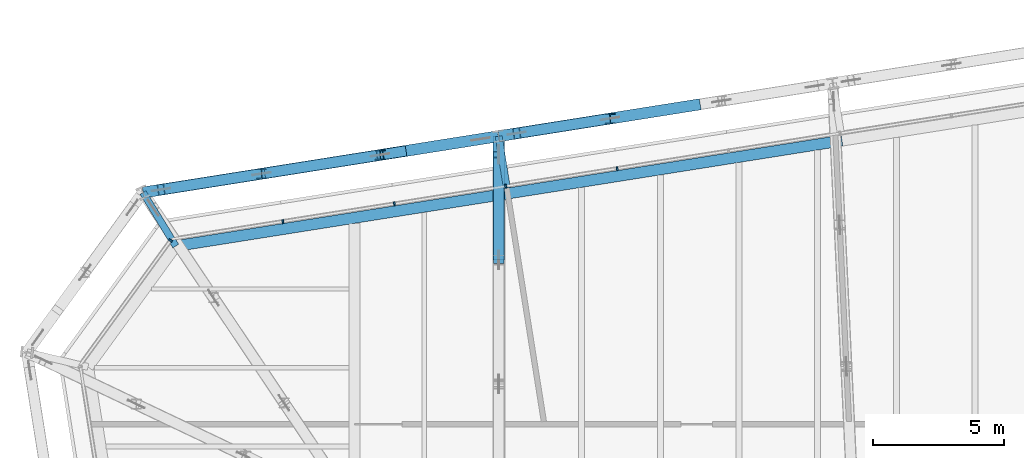
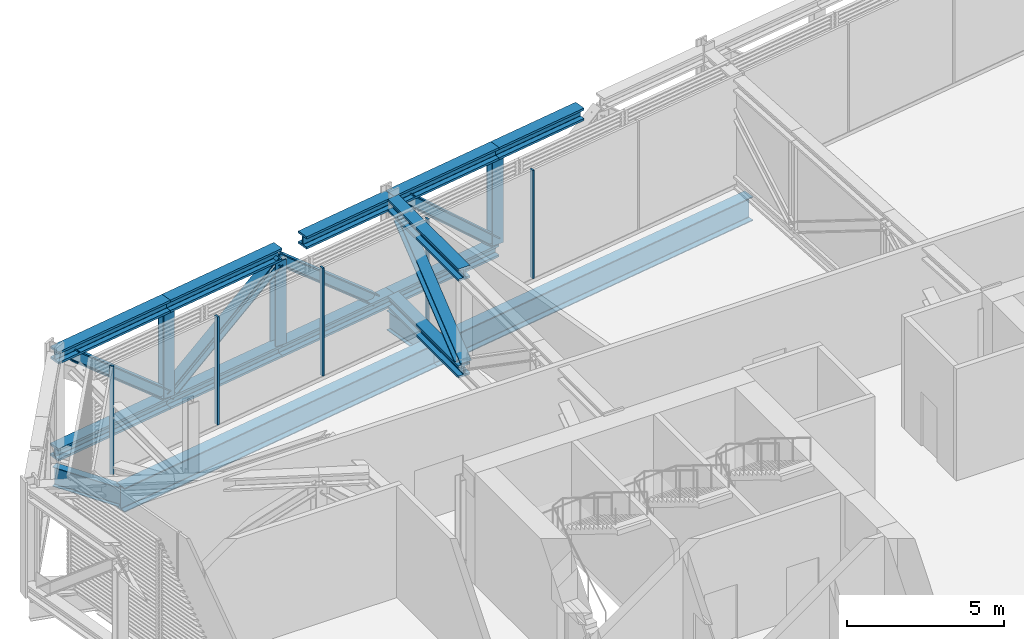
# One storey, part 13 of 31: 15 beams, 13 members, 2 elements without a shape of their own.
"""IFC4 building model written with IfcOpenShell, lengths in metres."""

from ifc_helpers import new_model, si_unit, direction, frame, origin, origin_2d, place, context, subcontext, project, spatial, rectangle, i_section, extrude, material, layer, layer_set, material_profile, profile_set, type_object, element, aggregate, save


model = new_model("IFC4")

# Units and contexts
model_context = context("Model", 3, precision=1e-05, world=origin(), true_north=direction((0.0, 1.0)))
body_context = subcontext(model_context, "Body", "Model", "MODEL_VIEW")
ifc_project = project(units=[si_unit("LENGTHUNIT", "METRE"), si_unit("AREAUNIT", "SQUARE_METRE"), si_unit("VOLUMEUNIT", "CUBIC_METRE"), si_unit("PLANEANGLEUNIT", "RADIAN"), si_unit("MASSUNIT", "GRAM", prefix="KILO")], contexts=[model_context])

# Site, building, storey
site_placement = place(None, origin())
site = spatial("IfcSite", under=ifc_project, at=site_placement, CompositionType="ELEMENT")
building_placement = place(site_placement, origin())
building = spatial("IfcBuilding", under=site, at=building_placement, Name="Millrace Tower", CompositionType="ELEMENT")
storey_placement = place(building_placement, frame((0.0, 0.0, 195.60009765625)))
storey = spatial("IfcBuildingStorey", under=building, at=storey_placement, Name="L44", CompositionType="ELEMENT", Elevation=195.60009765625)

# Beams
ifc_material_1 = material(Name="Steel ASTM A992 Grade 50", Category="steel")
ifc_material_profile_1 = material_profile(ifc_material_1, i_section(OverallWidth=0.4267578125, OverallDepth=0.482666015625, WebThickness=0.05126953125, FlangeThickness=0.08154296875, FilletRadius=0.01513671875, at=origin_2d()))
ifc_profile_set_1 = profile_set([ifc_material_profile_1], Name="Steel ASTM A992 Grade 50")
beam_type_1 = type_object("IfcBeamType", Name="Belt truss chord W14x455", PredefinedType="BEAM", material=ifc_profile_set_1)
beam_1_placement = place(storey_placement, frame((-4.91259765625, 24.499755859375, 0.2412109375), z_axis=(-0.987690583834, -0.15642030113, 0.0), x_axis=(0.15642030113, -0.987690583834, 0.0)))
element("IfcBeam", 1, at=beam_1_placement, inside=storey, type_object=beam_type_1, Name="BLT-L44-R11-B03", PredefinedType="BEAM", context=body_context, shape_type="SweptSolid", body=[
    extrude(i_section(OverallWidth=0.4267578125, OverallDepth=0.482666015625, WebThickness=0.05126953125, FlangeThickness=0.08154296875, FilletRadius=0.01513671875, at=origin_2d()), origin(), (0.0, 0.0, 1.0), 4.300048828125),
])
for number, where, z_axis, x_axis, name in (
    (2, (-9.15966796875, 23.8271484375, 0.2412109375), (-0.987681507278, -0.156477602811, 0.0), (0.156477602811, -0.987681507278, 0.0), "BLT-L44-R12-B01"),
    (3, (-13.679443359375, 23.111083984375, 0.2412109375), (-0.987689751328, -0.156425557764, 0.0), (0.156425557764, -0.987689751328, 0.0), "BLT-L44-R12-B02"),
    (4, (-13.679443359375, 23.111083984375, 3.99853515625), (-0.987689751328, -0.156425557764, 0.0), (0.156425557764, -0.987689751328, 0.0), "BLT-L44-R12-T02"),
    (5, (-18.19921875, 22.395263671875, 0.2412109375), (-0.987689751328, -0.156425557764, 0.0), (0.156425557764, -0.987689751328, 0.0), "BLT-L44-R12-B03"),
):
    element("IfcBeam", number, at=place(storey_placement, frame(where, z_axis=z_axis, x_axis=x_axis)), inside=storey, type_object=beam_type_1, Name=name, PredefinedType="BEAM", context=body_context, shape_type="SweptSolid", body=[
        extrude(i_section(OverallWidth=0.4267578125, OverallDepth=0.482666015625, WebThickness=0.05126953125, FlangeThickness=0.08154296875, FilletRadius=0.01513671875, at=origin_2d()), origin(), (0.0, 0.0, 1.0), 4.576171875),
    ])
beam_2_placement = place(storey_placement, frame((-1.476806640625, 25.0439453125, 3.99853515625), z_axis=(-0.987687735809, -0.156438283459, 0.0), x_axis=(0.156438283459, -0.987687735809, 0.0)))
element("IfcBeam", 6, at=beam_2_placement, inside=storey, type_object=beam_type_1, Name="BLT-L44-R11-T02", PredefinedType="BEAM", context=body_context, shape_type="SweptSolid", body=[
    extrude(i_section(OverallWidth=0.4267578125, OverallDepth=0.482666015625, WebThickness=0.05126953125, FlangeThickness=0.08154296875, FilletRadius=0.01513671875, at=origin_2d()), origin(), (0.0, 0.0, 1.0), 3.478515625),
])
beam_3_placement = place(storey_placement, frame((-4.91259765625, 24.499755859375, 3.99853515625), z_axis=(-0.987687640214, -0.15643888701, 0.0), x_axis=(0.15643888701, -0.987687640214, 0.0)))
element("IfcBeam", 7, at=beam_3_placement, inside=storey, type_object=beam_type_1, Name="BLT-L44-R11-T03", PredefinedType="BEAM", context=body_context, shape_type="SweptSolid", body=[
    extrude(i_section(OverallWidth=0.4267578125, OverallDepth=0.482666015625, WebThickness=0.05126953125, FlangeThickness=0.08154296875, FilletRadius=0.01513671875, at=origin_2d()), origin(), (0.0, 0.0, 1.0), 4.2900390625),
])
beam_4_placement = place(storey_placement, frame((-18.19921875, 22.395263671875, 3.99853515625), z_axis=(-0.987686983817, -0.156443031162, 0.0), x_axis=(0.156443031162, -0.987686983817, 0.0)))
element("IfcBeam", 8, at=beam_4_placement, inside=storey, type_object=beam_type_1, Name="BLT-L44-R12-T03", PredefinedType="BEAM", context=body_context, shape_type="SweptSolid", body=[
    extrude(i_section(OverallWidth=0.4267578125, OverallDepth=0.482666015625, WebThickness=0.05126953125, FlangeThickness=0.08154296875, FilletRadius=0.01513671875, at=origin_2d()), origin(), (0.0, 0.0, 1.0), 4.566162109375),
])
beam_5_placement = place(storey_placement, frame((-9.169677734375, 23.825439453125, 3.99853515625), z_axis=(-0.987694023217, -0.156398582157, 0.0), x_axis=(0.156398582157, -0.987694023217, 0.0)))
element("IfcBeam", 9, at=beam_5_placement, inside=storey, type_object=beam_type_1, Name="BLT-L44-R12-T01", PredefinedType="BEAM", context=body_context, shape_type="SweptSolid", body=[
    extrude(i_section(OverallWidth=0.4267578125, OverallDepth=0.482666015625, WebThickness=0.05126953125, FlangeThickness=0.08154296875, FilletRadius=0.01513671875, at=origin_2d()), origin(), (0.0, 0.0, 1.0), 3.5654296875),
])

# Members
ifc_material_2 = material(Name="Steel ASTM A992 Grade 50", Category="steel")
ifc_material_profile_2 = material_profile(ifc_material_2, i_section(OverallWidth=0.398681640625, OverallDepth=0.393798828125, WebThickness=0.022705078125, FlangeThickness=0.03662109375, FilletRadius=0.01513671875, at=origin_2d()))
ifc_profile_set_2 = profile_set([ifc_material_profile_2], Name="Steel ASTM A992 Grade 50")
member_type_1 = type_object("IfcMemberType", Name="Belt truss diagonal W14x193", PredefinedType="BRACE", material=ifc_profile_set_2)
member_1_placement = place(storey_placement, frame((-4.91259765625, 24.499755859375, 0.482421875), z_axis=(-0.730607904471, -0.115731422385, 0.672917771943), x_axis=(0.156453585206, -0.987685312069, 0.0)))
element("IfcMember", 10, at=member_1_placement, inside=storey, type_object=member_type_1, Name="BLT-L44-R11-D03", PredefinedType="BRACE", context=body_context, shape_type="SweptSolid", body=[
    extrude(i_section(OverallWidth=0.398681640625, OverallDepth=0.393798828125, WebThickness=0.022705078125, FlangeThickness=0.03662109375, FilletRadius=0.01513671875, at=origin_2d()), origin(), (0.0, 0.0, 1.0), 4.86669921875),
])
member_2_placement = place(storey_placement, frame((-9.85107421875, 23.717529296875, 0.482421875), z_axis=(-0.754452976838, -0.119511586918, 0.64538181438), x_axis=(0.156457420202, -0.987684704581, 0.0)))
element("IfcMember", 11, at=member_2_placement, inside=storey, type_object=member_type_1, Name="BLT-L44-R12-D01", PredefinedType="BRACE", context=body_context, shape_type="SweptSolid", body=[
    extrude(i_section(OverallWidth=0.398681640625, OverallDepth=0.393798828125, WebThickness=0.022705078125, FlangeThickness=0.03662109375, FilletRadius=0.01513671875, at=origin_2d()), origin(), (0.0, 0.0, 1.0), 5.074462890625),
])
member_3_placement = place(storey_placement, frame((-18.19921875, 22.395263671875, 0.482421875), z_axis=(0.803196742958, 0.127206441439, 0.581973808137), x_axis=(-0.156425557764, 0.987689751328, 0.0)))
element("IfcMember", 12, at=member_3_placement, inside=storey, type_object=member_type_1, Name="BLT-L44-R12-D02", PredefinedType="BRACE", context=body_context, shape_type="SweptSolid", body=[
    extrude(i_section(OverallWidth=0.398681640625, OverallDepth=0.393798828125, WebThickness=0.022705078125, FlangeThickness=0.03662109375, FilletRadius=0.01513671875, at=origin_2d()), origin(), (0.0, 0.0, 1.0), 5.627197265625),
])
member_4_placement = place(storey_placement, frame((-18.19921875, 22.395263671875, 0.482421875), z_axis=(-0.754457314112, -0.119464161147, 0.645385524616), x_axis=(0.156395975046, -0.987694436043, 0.0)))
element("IfcMember", 13, at=member_4_placement, inside=storey, type_object=member_type_1, Name="BLT-L44-R12-D03", PredefinedType="BRACE", context=body_context, shape_type="SweptSolid", body=[
    extrude(i_section(OverallWidth=0.398681640625, OverallDepth=0.393798828125, WebThickness=0.022705078125, FlangeThickness=0.03662109375, FilletRadius=0.01513671875, at=origin_2d()), origin(), (0.0, 0.0, 1.0), 5.07421875),
])
ifc_material_3 = material(Name="Steel ASTM A992 Grade 50", Category="steel")
ifc_material_profile_3 = material_profile(ifc_material_3, i_section(OverallWidth=0.396240234375, OverallDepth=0.381103515625, WebThickness=0.018798828125, FlangeThickness=0.0302734375, FilletRadius=0.01513671875, at=origin_2d()))
ifc_profile_set_3 = profile_set([ifc_material_profile_3], Name="Steel ASTM A992 Grade 50")
member_type_2 = type_object("IfcMemberType", Name="Belt truss post W14x159", PredefinedType="POST", material=ifc_profile_set_3)
for number, where, z_axis, x_axis, name in (
    (14, (-4.91259765625, 24.499755859375, 0.482421875), (0.0, 0.0, 1.0), (1.0, 0.0, 0.0), "BLT-L44-R11-V02"),
    (15, (-13.679443359375, 23.111083984375, 0.482421875), (0.0, 0.0, 1.0), (1.0, 0.0, 0.0), "BLT-L44-R12-V01"),
    (16, (-18.19921875, 22.395263671875, 0.482421875), (0.0, 0.0, 1.0), (1.0, 0.0, 0.0), "BLT-L44-R12-V02"),
):
    element("IfcMember", number, at=place(storey_placement, frame(where, z_axis=z_axis, x_axis=x_axis)), inside=storey, type_object=member_type_2, Name=name, PredefinedType="POST", context=body_context, shape_type="SweptSolid", body=[
        extrude(i_section(OverallWidth=0.396240234375, OverallDepth=0.381103515625, WebThickness=0.018798828125, FlangeThickness=0.0302734375, FilletRadius=0.01513671875, at=origin_2d()), origin(), (0.0, 0.0, 1.0), 3.27490234375),
    ])

# Curtain wall, members
ifc_material_4 = material(Name="Aluminium and glass", Category="aluminium")
ifc_layer = layer(ifc_material_4, 0.14990234375)
ifc_layer_set = layer_set([ifc_layer], Name="Aluminium and glass")
curtain_wall_type = type_object("IfcCurtainWallType", Name="CW-5 truss and plant storey louvred infill", PredefinedType="NOTDEFINED", material=ifc_layer_set)
placement = place(storey_placement, origin())
curtain_wall_1 = element("IfcCurtainWall", 17, at=placement, inside=storey, type_object=curtain_wall_type, Name="Curtain wall C-F06 L44", PredefinedType="NOTDEFINED")
ifc_material_5 = material(Name="Aluminium", Category="aluminium")
ifc_material_profile_4 = material_profile(ifc_material_5, rectangle(XDim=0.06494140625, YDim=0.14990234375, at=origin_2d()))
ifc_profile_set_4 = profile_set([ifc_material_profile_4], Name="Aluminium")
member_type_3 = type_object("IfcMemberType", Name="CW-5 truss and plant storey louvred infill mullion", PredefinedType="MULLION", material=ifc_profile_set_4)
member_5_placement = place(storey_placement, frame((-4.6435546875, 22.59326171875, 0.139892578125), z_axis=(0.0, 0.0, 1.0), x_axis=(-0.98768833929, -0.15643447328, 0.0)))
member_5 = element("IfcMember", 18, at=member_5_placement, type_object=member_type_3, Name="CW5 mullion C-F06.6", PredefinedType="MULLION", context=body_context, shape_type="SweptSolid", body=[
    extrude(rectangle(XDim=0.06494140625, YDim=0.14990234375, at=origin_2d()), origin(), (0.0, 0.0, 1.0), 4.199951171875),
])
member_6_placement = place(storey_placement, frame((-8.890625, 21.920654296875, 0.139892578125), z_axis=(0.0, 0.0, 1.0), x_axis=(-0.98768833929, -0.15643447328, 0.0)))
member_6 = element("IfcMember", 19, at=member_6_placement, type_object=member_type_3, Name="CW5 mullion C-F06.7", PredefinedType="MULLION", context=body_context, shape_type="SweptSolid", body=[
    extrude(rectangle(XDim=0.06494140625, YDim=0.14990234375, at=origin_2d()), origin(), (0.0, 0.0, 1.0), 4.199951171875),
])
member_7_placement = place(storey_placement, frame((-13.1376953125, 21.248046875, 0.139892578125), z_axis=(0.0, 0.0, 1.0), x_axis=(-0.98768833929, -0.15643447328, 0.0)))
member_7 = element("IfcMember", 20, at=member_7_placement, type_object=member_type_3, Name="CW5 mullion C-F06.8", PredefinedType="MULLION", context=body_context, shape_type="SweptSolid", body=[
    extrude(rectangle(XDim=0.06494140625, YDim=0.14990234375, at=origin_2d()), origin(), (0.0, 0.0, 1.0), 4.199951171875),
])
member_8_placement = place(storey_placement, frame((-17.384765625, 20.575439453125, 0.139892578125), z_axis=(0.0, 0.0, 1.0), x_axis=(-0.98768833929, -0.15643447328, 0.0)))
member_8 = element("IfcMember", 21, at=member_8_placement, type_object=member_type_3, Name="CW5 mullion C-F06.9", PredefinedType="MULLION", context=body_context, shape_type="SweptSolid", body=[
    extrude(rectangle(XDim=0.06494140625, YDim=0.14990234375, at=origin_2d()), origin(), (0.0, 0.0, 1.0), 4.199951171875),
])
aggregate(curtain_wall_1, [member_5, member_6, member_7, member_8])

# Curtain wall, member
curtain_wall_2 = element("IfcCurtainWall", 22, at=placement, inside=storey, type_object=curtain_wall_type, Name="Curtain wall C-F07 L44", PredefinedType="NOTDEFINED")
member_9_placement = place(storey_placement, frame((-21.667724609375, 19.8515625, 0.139892578125), z_axis=(0.0, 0.0, 1.0), x_axis=(-0.587785269844, -0.809016981623, 0.0)))
member_9 = element("IfcMember", 23, at=member_9_placement, type_object=member_type_3, Name="CW5 mullion C-F07.1", PredefinedType="MULLION", context=body_context, shape_type="SweptSolid", body=[
    extrude(rectangle(XDim=0.06494140625, YDim=0.14990234375, at=origin_2d()), origin(), (0.0, 0.0, 1.0), 4.199951171875),
])
aggregate(curtain_wall_2, [member_9])

# Beams
ifc_material_6 = material(Name="Steel ASTM A992 Grade 50", Category="steel")
ifc_material_profile_5 = material_profile(ifc_material_6, i_section(OverallWidth=0.2666015625, OverallDepth=0.7568359375, WebThickness=0.013916015625, FlangeThickness=0.019287109375, FilletRadius=0.0166015625, at=origin_2d()))
ifc_profile_set_5 = profile_set([ifc_material_profile_5], Name="Steel ASTM A992 Grade 50")
beam_type_2 = type_object("IfcBeamType", Name="Link beam W30x108", PredefinedType="BEAM", material=ifc_profile_set_5)
beam_6_placement = place(storey_placement, frame((-21.46875, 19.63916015625, -0.628662109375), z_axis=(-0.522485496218, 0.852648172602, 0.0), x_axis=(-0.852648172602, -0.522485496218, 0.0)))
element("IfcBeam", 24, at=beam_6_placement, inside=storey, type_object=beam_type_2, Name="LNK-C-L44-S1-05", PredefinedType="BEAM", context=body_context, shape_type="SweptSolid", body=[
    extrude(i_section(OverallWidth=0.2666015625, OverallDepth=0.7568359375, WebThickness=0.013916015625, FlangeThickness=0.019287109375, FilletRadius=0.0166015625, at=origin_2d()), origin(), (0.0, 0.0, 1.0), 2.392822265625),
])
beam_7_placement = place(storey_placement, frame((-8.8466796875, 21.8515625, -0.628662109375), z_axis=(-0.156476509441, 0.987681680499, 0.0), x_axis=(-0.987681680499, -0.156476509441, 0.0)))
element("IfcBeam", 25, at=beam_7_placement, inside=storey, type_object=beam_type_2, Name="LNK-C-L44-S1-06", PredefinedType="BEAM", context=body_context, shape_type="SweptSolid", body=[
    extrude(i_section(OverallWidth=0.2666015625, OverallDepth=0.7568359375, WebThickness=0.013916015625, FlangeThickness=0.019287109375, FilletRadius=0.0166015625, at=origin_2d()), origin(), (0.0, 0.0, 1.0), 2.000244140625),
])
ifc_material_7 = material(Name="Steel ASTM A992 Grade 50", Category="steel")
ifc_material_profile_6 = material_profile(ifc_material_7, i_section(OverallWidth=0.4267578125, OverallDepth=0.482666015625, WebThickness=0.05126953125, FlangeThickness=0.08154296875, FilletRadius=0.01513671875, at=origin_2d()))
ifc_profile_set_6 = profile_set([ifc_material_profile_6], Name="Steel ASTM A992 Grade 50")
beam_type_3 = type_object("IfcBeamType", Name="Outrigger truss chord W14x455", PredefinedType="BEAM", material=ifc_profile_set_6)
for number, where, z_axis, x_axis, name in (
    (26, (-9.15966796875, 19.101318359375, 0.2412109375), (0.0, 1.0, 0.0), (-1.0, 0.0, 0.0), "BLT-L44-O12-B03"),
    (27, (-9.15966796875, 19.101318359375, 3.99853515625), (0.0, 1.0, 0.0), (-1.0, 0.0, 0.0), "BLT-L44-O12-T03"),
):
    element("IfcBeam", number, at=place(storey_placement, frame(where, z_axis=z_axis, x_axis=x_axis)), inside=storey, type_object=beam_type_3, Name=name, PredefinedType="BEAM", context=body_context, shape_type="SweptSolid", body=[
        extrude(i_section(OverallWidth=0.4267578125, OverallDepth=0.482666015625, WebThickness=0.05126953125, FlangeThickness=0.08154296875, FilletRadius=0.01513671875, at=origin_2d()), origin(), (0.0, 0.0, 1.0), 4.725830078125),
    ])

# Member
ifc_material_8 = material(Name="Steel ASTM A992 Grade 50", Category="steel")
ifc_material_profile_7 = material_profile(ifc_material_8, i_section(OverallWidth=0.398681640625, OverallDepth=0.393798828125, WebThickness=0.022705078125, FlangeThickness=0.03662109375, FilletRadius=0.01513671875, at=origin_2d()))
ifc_profile_set_7 = profile_set([ifc_material_profile_7], Name="Steel ASTM A992 Grade 50")
member_type_4 = type_object("IfcMemberType", Name="Outrigger truss diagonal W14x193", PredefinedType="BRACE", material=ifc_profile_set_7)
member_10_placement = place(storey_placement, frame((-9.15966796875, 19.101318359375, 0.482421875), z_axis=(0.0, 0.775729634475, 0.631065396134), x_axis=(-1.0, 0.0, 0.0)))
element("IfcMember", 28, at=member_10_placement, inside=storey, type_object=member_type_4, Name="BLT-L44-O12-D03", PredefinedType="BRACE", context=body_context, shape_type="SweptSolid", body=[
    extrude(i_section(OverallWidth=0.398681640625, OverallDepth=0.393798828125, WebThickness=0.022705078125, FlangeThickness=0.03662109375, FilletRadius=0.01513671875, at=origin_2d()), origin(), (0.0, 0.0, 1.0), 5.189453125),
])

# Beams
ifc_material_9 = material(Name="Steel ASTM A992 Grade 50", Category="steel")
ifc_material_profile_8 = material_profile(ifc_material_9, i_section(OverallWidth=0.421630859375, OverallDepth=0.937255859375, WebThickness=0.021240234375, FlangeThickness=0.03662109375, FilletRadius=0.024169921875, at=origin_2d()))
ifc_profile_set_8 = profile_set([ifc_material_profile_8], Name="Steel ASTM A992 Grade 50")
beam_type_4 = type_object("IfcBeamType", Name="Ring beam medium span W36x262", PredefinedType="SPANDREL", material=ifc_profile_set_8)
beam_8_placement = place(storey_placement, frame((-21.46875, 19.63916015625, -0.71875), z_axis=(0.987687920955, 0.156437114518, 0.0), x_axis=(-0.156437114518, 0.987687920955, 0.0)))
element("IfcBeam", 29, at=beam_8_placement, inside=storey, type_object=beam_type_4, Name="RNG-C-L44-S1-05", PredefinedType="SPANDREL", context=body_context, shape_type="SweptSolid", body=[
    extrude(i_section(OverallWidth=0.421630859375, OverallDepth=0.937255859375, WebThickness=0.021240234375, FlangeThickness=0.03662109375, FilletRadius=0.024169921875, at=origin_2d()), origin(), (0.0, 0.0, 1.0), 12.812744140625),
])
beam_9_placement = place(storey_placement, frame((-8.813720703125, 21.6435546875, -0.71875), z_axis=(0.987690120762, 0.156423225096, 0.0), x_axis=(-0.156423225096, 0.987690120762, 0.0)))
element("IfcBeam", 30, at=beam_9_placement, inside=storey, type_object=beam_type_4, Name="RNG-C-L44-S1-06", PredefinedType="SPANDREL", context=body_context, shape_type="SweptSolid", body=[
    extrude(i_section(OverallWidth=0.421630859375, OverallDepth=0.937255859375, WebThickness=0.021240234375, FlangeThickness=0.03662109375, FilletRadius=0.024169921875, at=origin_2d()), origin(), (0.0, 0.0, 1.0), 12.899658203125),
])

save(model, "model.ifc")
